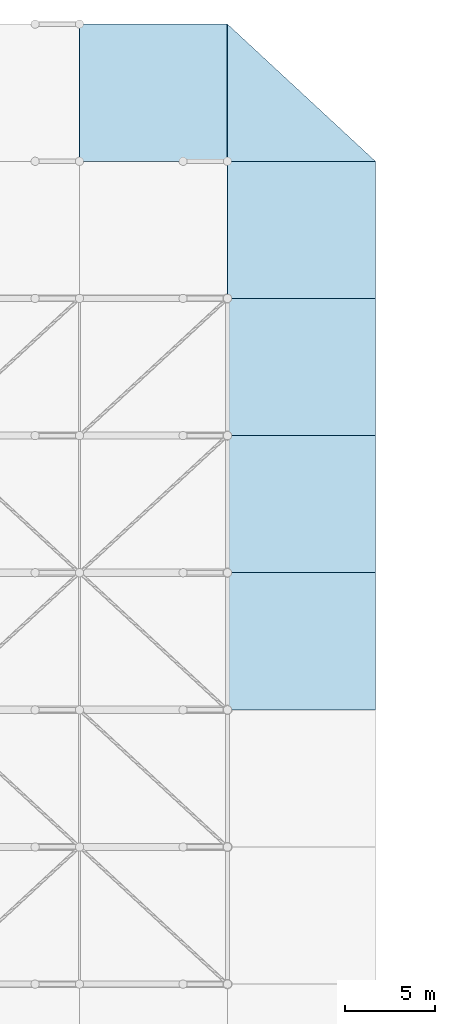
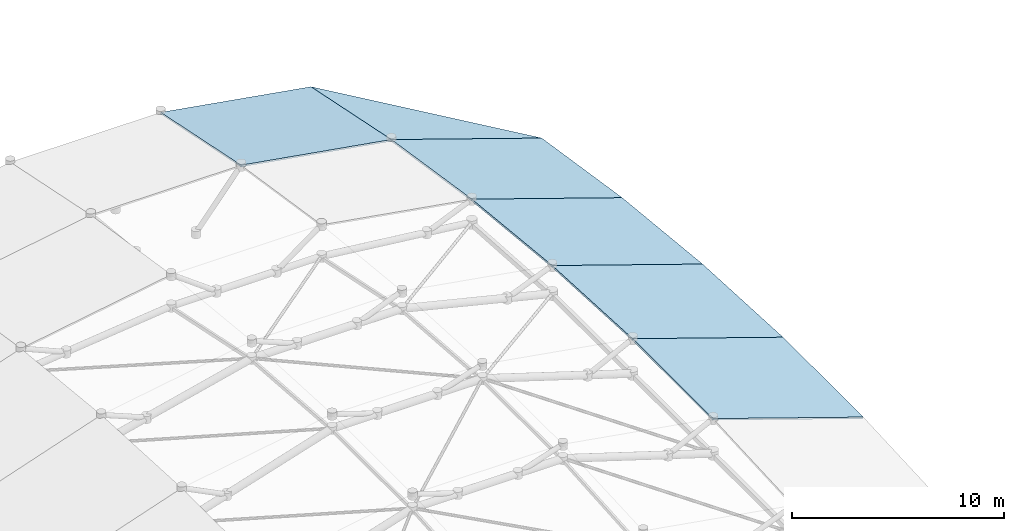
# One storey, part 15 of 22: 6 roofs.
"""IFC4 building model written with IfcOpenShell, lengths in metres."""

from ifc_helpers import new_model, si_unit, direction, frame, origin, place, context, subcontext, project, spatial, polyline, outline, extrude, material, layer, layer_set, type_object, element, save


model = new_model("IFC4")

# Units and contexts
model_context = context("Model", 3, precision=1e-05, world=origin(), true_north=direction((0.0, 1.0)))
body_context = subcontext(model_context, "Body", "Model", "MODEL_VIEW")
ifc_project = project(units=[si_unit("LENGTHUNIT", "METRE"), si_unit("AREAUNIT", "SQUARE_METRE"), si_unit("VOLUMEUNIT", "CUBIC_METRE"), si_unit("PLANEANGLEUNIT", "RADIAN"), si_unit("MASSUNIT", "GRAM", prefix="KILO")], contexts=[model_context])

# Site, building, storey
site_placement = place(None, origin())
site = spatial("IfcSite", under=ifc_project, at=site_placement, CompositionType="ELEMENT")
building_placement = place(site_placement, origin())
building = spatial("IfcBuilding", under=site, at=building_placement, Name="Qandaris Square Conservatory and Botanical Centre", CompositionType="ELEMENT")
storey_placement = place(building_placement, frame((0.0, 0.0, 19.800048828125)))
storey = spatial("IfcBuildingStorey", under=building, at=storey_placement, Name="L04", CompositionType="ELEMENT", Elevation=19.800048828125)

# Roofs
ifc_material = material(Name="Steel S355", Category="steel")
ifc_layer = layer(ifc_material, 0.090087890625)
ifc_layer_set = layer_set([ifc_layer], Name="Steel S355")
roof_type = type_object("IfcRoofType", Name="Conservatory Dome Shell Roof", PredefinedType="DOME_ROOF", material=ifc_layer_set)
roof_1_placement = place(storey_placement, frame((40.800048828125, 107.800048828125, 1.58642578125), z_axis=(0.164031975541, 0.198402995475, 0.966296932825), x_axis=(0.985895928909, 2.813764e-06, -0.167359545149)))
element("IfcRoof", 1, at=roof_1_placement, inside=storey, type_object=roof_type, Name="Conservatory Dome Shell Roof 4.9", PredefinedType="DOME_ROOF", context=body_context, shape_type="SweptSolid", body=[
    extrude(outline(polyline([(0.0, 0.0), (8.317278000661782, 5.551115123125783e-17), (8.578430940775075, 7.753974284830477), (0.261193799377247, 7.754022039772853), (0.0, 0.0)])), origin(), (0.0, 0.0, -1.0), 0.090087890625),
])
roof_2_placement = place(storey_placement, frame((49.0, 77.39990234375, 2.53515625), z_axis=(0.321483699948, 0.0, 0.946915112704), x_axis=(0.946915112704, 0.0, -0.321483699948)))
element("IfcRoof", 2, at=roof_2_placement, inside=storey, type_object=roof_type, Name="Conservatory Dome Shell Roof 5.5", PredefinedType="DOME_ROOF", context=body_context, shape_type="SweptSolid", body=[
    extrude(outline(polyline([(0.0, 0.0), (8.659647588111678, 0.0), (8.659647588111678, 7.600097656249999), (0.0, 7.600097656249999), (0.0, 0.0)])), origin(), (0.0, 0.0, -1.0), 0.090087890625),
])
roof_3_placement = place(storey_placement, frame((49.0, 85.0, 2.53515625), z_axis=(0.321104579157, 0.048550783538, 0.94579843025), x_axis=(0.946915112704, 0.0, -0.321483699948)))
element("IfcRoof", 3, at=roof_3_placement, inside=storey, type_object=roof_type, Name="Conservatory Dome Shell Roof 5.6", PredefinedType="DOME_ROOF", context=body_context, shape_type="SweptSolid", body=[
    extrude(outline(polyline([(0.0, 0.0), (8.659647588111678, 0.0), (8.785070183941139, 7.609070916761728), (0.1254225958294612, 7.609070916761727), (0.0, 0.0)])), origin(), (0.0, 0.0, -1.0), 0.090087890625),
])
roof_4_placement = place(storey_placement, frame((49.0, 92.60009765625, 2.14501953125), z_axis=(0.319975117904, 0.096763127959, 0.942471655271), x_axis=(0.946915112704, 0.0, -0.321483699948)))
element("IfcRoof", 4, at=roof_4_placement, inside=storey, type_object=roof_type, Name="Conservatory Dome Shell Roof 5.7", PredefinedType="DOME_ROOF", context=body_context, shape_type="SweptSolid", body=[
    extrude(outline(polyline([(0.0, 0.0), (8.659647588111678, 0.0), (8.9104927797706, 7.635684434682155), (0.2508451916589224, 7.635684434682155), (0.0, 0.0)])), origin(), (0.0, 0.0, -1.0), 0.090087890625),
])
roof_5_placement = place(storey_placement, frame((49.0, 100.199951171875, 1.36474609375), z_axis=(0.318119133449, 0.144298158823, 0.937004940379), x_axis=(0.946915112704, 0.0, -0.321483699948)))
element("IfcRoof", 5, at=roof_5_placement, inside=storey, type_object=roof_type, Name="Conservatory Dome Shell Roof 5.8", PredefinedType="DOME_ROOF", context=body_context, shape_type="SweptSolid", body=[
    extrude(outline(polyline([(0.0, 0.0), (8.659647588111678, -1.1102230246251565e-16), (9.035915375600062, 7.680479598989146), (0.37626778748838363, 7.680479598989146), (0.0, 0.0)])), origin(), (0.0, 0.0, -1.0), 0.090087890625),
])
roof_6_placement = place(storey_placement, frame((49.0, 107.800048828125, 0.1943359375), z_axis=(0.315575487118, 0.190835426255, 0.929512749787), x_axis=(0.946915112704, 0.0, -0.321483699948)))
element("IfcRoof", 6, at=roof_6_placement, inside=storey, type_object=roof_type, Name="Conservatory Dome Shell Roof 5.9", PredefinedType="DOME_ROOF", context=body_context, shape_type="SweptSolid", body=[
    extrude(outline(polyline([(0.0, 0.0), (8.659647588111678, -1.1102230246251565e-16), (0.5016118960864121, 7.742138179311989), (0.0, 0.0)])), origin(), (0.0, 0.0, -1.0), 0.090087890625),
])

save(model, "model.ifc")
